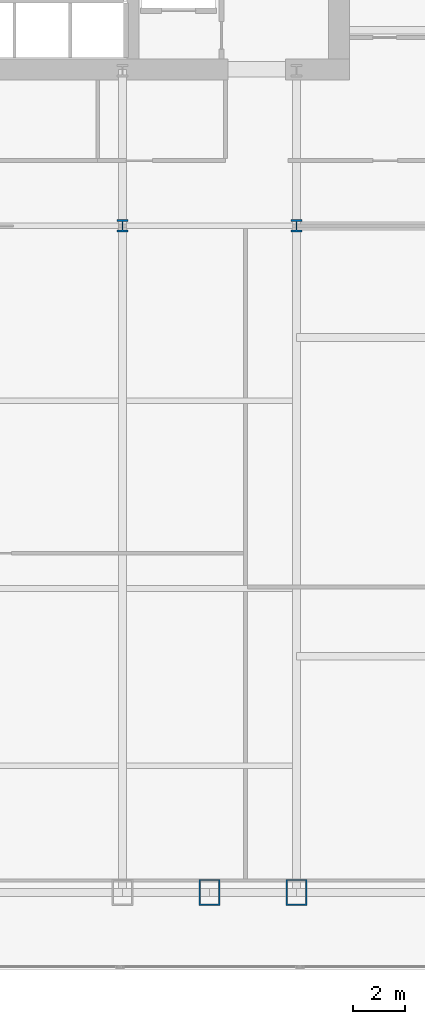
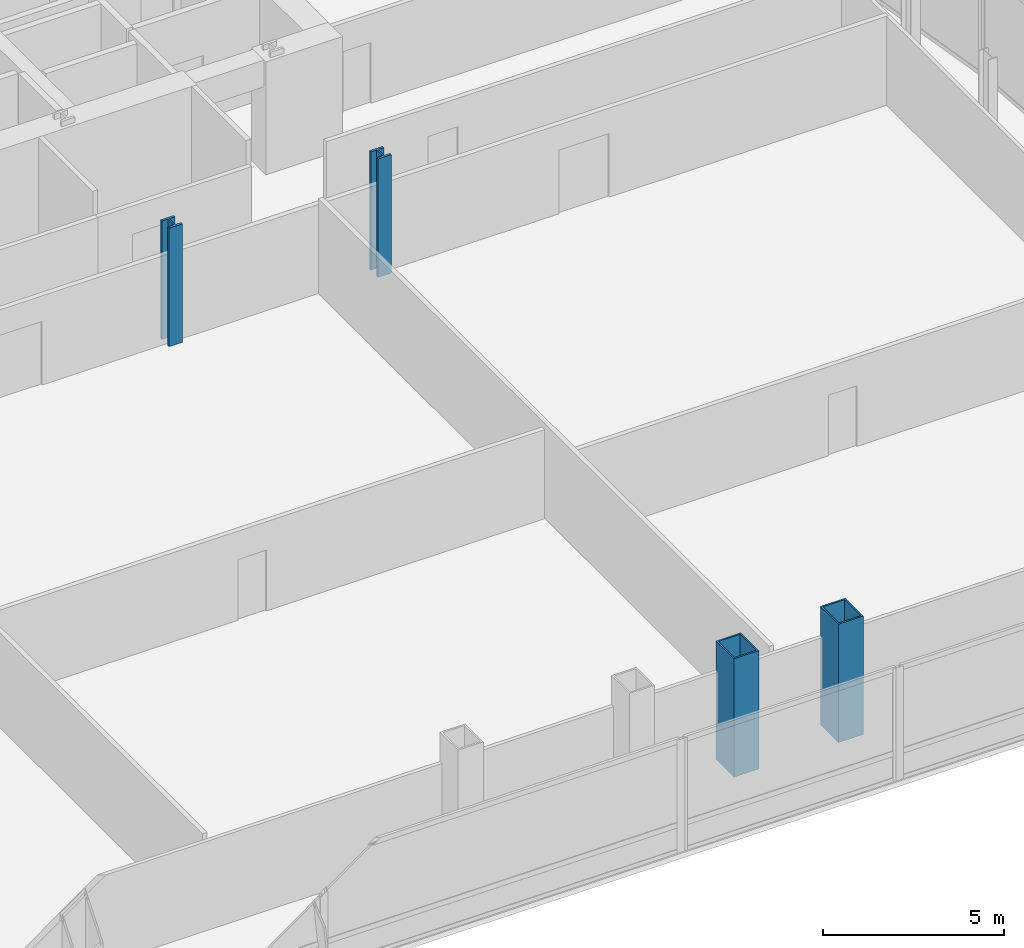
# One storey, part 2 of 35: 4 columns.
"""IFC4 building model written with IfcOpenShell, lengths in metres."""

import ifcopenshell
import ifcopenshell.guid

model = None  # the IFC model being written
_history = None  # IfcOwnerHistory: only IFC2X3 demands one
_inside = {}  # id of a spatial element -> (the spatial element, [elements in it])
_under = {}  # id of a project, library or spatial element -> (it, [spatial elements below it])
_declared = {}  # id of a project -> (the project, [libraries it declares])
_typed = {}  # id of a type object -> (the type object, [elements of that type])
_made_of = {}  # id of a material, layer set ... -> (it, [elements and type objects made of it])


def new_model(schema):
    """Start an empty IFC model of exactly this schema.

    Asked for "IFC4X3", IfcOpenShell would pick the latest addendum, in which some entities
    have other attributes; the version numbers below select the first issue.
    IFC2X3 requires an IfcOwnerHistory on every rooted entity: one is made here for all.
    """
    global model, _history
    if schema == "IFC4X3":
        model = ifcopenshell.file(schema_version=(4, 3, 0, 0))
    else:
        model = ifcopenshell.file(schema=schema)
    _inside.clear()
    _under.clear()
    _declared.clear()
    _typed.clear()
    _made_of.clear()
    _history = None
    if model.schema == "IFC2X3":
        org = make("IfcOrganization", Name="unknown")
        user = make(
            "IfcPersonAndOrganization",
            ThePerson=make("IfcPerson", FamilyName="unknown"),
            TheOrganization=org,
        )
        app = make(
            "IfcApplication",
            ApplicationDeveloper=org,
            Version="unknown",
            ApplicationFullName="unknown",
            ApplicationIdentifier="unknown",
        )
        _history = make(
            "IfcOwnerHistory",
            OwningUser=user,
            OwningApplication=app,
            ChangeAction="ADDED",
            CreationDate=0,
        )
    return model


def make(cls, **values):
    """One entity of the class cls with the attributes given. An attribute that is None is left unset."""
    return model.create_entity(
        cls, **{name: value for name, value in values.items() if value is not None}
    )


def rooted(cls, **values):
    """An entity with a GlobalId (a new one), such as an element, a storey or a relation."""
    return make(cls, GlobalId=ifcopenshell.guid.new(), OwnerHistory=_history, **values)


def si_unit(unit_type, name, prefix=None):
    """IfcSIUnit, for example si_unit("LENGTHUNIT", "METRE", prefix="MILLI")."""
    return make("IfcSIUnit", UnitType=unit_type, Prefix=prefix, Name=name)


def assignment(units):
    """IfcUnitAssignment: the units of a project."""
    return None if units is None else make("IfcUnitAssignment", Units=units)


def point(xyz):
    """IfcCartesianPoint."""
    return None if xyz is None else make("IfcCartesianPoint", Coordinates=xyz)


def direction(xyz):
    """IfcDirection."""
    return None if xyz is None else make("IfcDirection", DirectionRatios=xyz)


def frame(location, z_axis=None, x_axis=None):
    """IfcAxis2Placement3D, a coordinate frame: its origin and axes. An axis left out is left unset."""
    return make(
        "IfcAxis2Placement3D",
        Location=point(location),
        Axis=direction(z_axis),
        RefDirection=direction(x_axis),
    )


def frame_2d(location, x_axis=None):
    """IfcAxis2Placement2D, a coordinate frame in the plane: its origin and x axis."""
    return make(
        "IfcAxis2Placement2D", Location=point(location), RefDirection=direction(x_axis)
    )


def origin():
    """The frame at (0, 0, 0) with its axes left unset."""
    return frame((0.0, 0.0, 0.0))


def origin_2d():
    """The frame at (0, 0) in the plane with its x axis left unset."""
    return frame_2d((0.0, 0.0))


def place(relative_to, where):
    """IfcLocalPlacement: puts the frame where relative to a parent placement (None: the world)."""
    return make(
        "IfcLocalPlacement", PlacementRelTo=relative_to, RelativePlacement=where
    )


def context(
    kind, dimensions, precision=None, world=None, true_north=None, identifier=None
):
    """IfcGeometricRepresentationContext, for example the 3D "Model" context."""
    return make(
        "IfcGeometricRepresentationContext",
        ContextIdentifier=identifier,
        ContextType=kind,
        CoordinateSpaceDimension=dimensions,
        Precision=precision,
        WorldCoordinateSystem=world,
        TrueNorth=true_north,
    )


def subcontext(parent, identifier, kind, view, scale=None):
    """IfcGeometricRepresentationSubContext, for example "Body" below "Model"."""
    return make(
        "IfcGeometricRepresentationSubContext",
        ContextIdentifier=identifier,
        ContextType=kind,
        ParentContext=parent,
        TargetScale=scale,
        TargetView=view,
    )


def project(units=None, contexts=None):
    """IfcProject with its units and contexts."""
    return rooted(
        "IfcProject",
        Name="project",
        RepresentationContexts=contexts,
        UnitsInContext=assignment(units),
    )


def spatial(cls, under=None, at=None, **own):
    """A site, building, storey or space (cls), placed at a placement, below another one or the project."""
    s = rooted(cls, ObjectPlacement=at, **own)
    if under is not None:
        _under.setdefault(under.id(), (under, []))[1].append(s)
    return s


def profile(cls, at=None, kind="AREA", **sizes):
    """A parametric profile (cls). Its sizes go by their IFC names, for example OverallWidth=200.0."""
    return make(cls, ProfileType=kind, Position=at, **sizes)


def hollow_rectangle(**sizes):
    """IfcRectangleHollowProfileDef."""
    return profile("IfcRectangleHollowProfileDef", **sizes)


def i_section(**sizes):
    """IfcIShapeProfileDef."""
    return profile("IfcIShapeProfileDef", **sizes)


def extrude(swept, where, along, depth):
    """IfcExtrudedAreaSolid: the profile swept, set in the frame where, extruded along a direction by depth."""
    return make(
        "IfcExtrudedAreaSolid",
        SweptArea=swept,
        Position=where,
        ExtrudedDirection=direction(along),
        Depth=depth,
    )


def shape(context_of_items, identifier, shape_type, items):
    """IfcShapeRepresentation: the items that make up one representation, for example the "Body"."""
    return make(
        "IfcShapeRepresentation",
        ContextOfItems=context_of_items,
        RepresentationIdentifier=identifier,
        RepresentationType=shape_type,
        Items=items,
    )


def material(Name=None, Category=None):
    """IfcMaterial."""
    return make("IfcMaterial", Name=Name, Category=Category)


def material_profile(
    of_material, cross_section, Name=None, Category=None, Priority=None
):
    """IfcMaterialProfile: a cross section and its material."""
    return make(
        "IfcMaterialProfile",
        Name=Name,
        Material=of_material,
        Profile=cross_section,
        Priority=Priority,
        Category=Category,
    )


def profile_set(profiles, Name=None, composite=None):
    """IfcMaterialProfileSet."""
    return make(
        "IfcMaterialProfileSet",
        Name=Name,
        MaterialProfiles=profiles,
        CompositeProfile=composite,
    )


def made_of(thing, what):
    """Note that an element or type object is made of a material, layer set ...; save() writes the relation."""
    if what is not None:
        _made_of.setdefault(what.id(), (what, []))[1].append(thing)
    return thing


def type_object(cls, material=None, **own):
    """A type object (cls), such as IfcWallType, which elements share."""
    return made_of(rooted(cls, **own), material)


def element(
    cls,
    number,
    at=None,
    inside=None,
    cuts=None,
    type_object=None,
    material=None,
    context=None,
    identifier="Body",
    shape_type=None,
    held_by="IfcProductDefinitionShape",
    body=None,
    shapes=None,
    **own,
):
    """One element of the class cls, such as IfcWall. Its Tag is "e" and its number.

    at: its placement. inside: the storey or other place that contains it. cuts: it is an
    opening in that element (IfcRelVoidsElement). A single representation is given by context,
    identifier, shape_type and body (its items); several are given by shapes. held_by: the class
    of the entity that holds the representations. save() writes the other relations.
    """
    e = rooted(cls, Tag="e%d" % number, ObjectPlacement=at, **own)
    if body is not None:
        shapes = [shape(context, identifier, shape_type, body)]
    if shapes is not None:
        e.Representation = make(held_by, Representations=shapes)
    if inside is not None:
        _inside.setdefault(inside.id(), (inside, []))[1].append(e)
    if cuts is not None:
        rooted(
            "IfcRelVoidsElement", RelatingBuildingElement=cuts, RelatedOpeningElement=e
        )
    if type_object is not None:
        _typed.setdefault(type_object.id(), (type_object, []))[1].append(e)
    return made_of(e, material)


def aggregate(whole, parts):
    """IfcRelAggregates: a whole, such as a stair, and the parts it consists of."""
    return rooted("IfcRelAggregates", RelatingObject=whole, RelatedObjects=parts)


def save(model, path):
    """Write the relations noted so far, then the file.

    IfcRelAggregates (storeys below a building ...), IfcRelContainedInSpatialStructure (elements
    in a storey), IfcRelDefinesByType, IfcRelAssociatesMaterial and IfcRelDeclares: one each for
    every whole, place, type object, material and project.
    """
    for whole, parts in _under.values():
        aggregate(whole, parts)
    for where, things in _inside.values():
        rooted(
            "IfcRelContainedInSpatialStructure",
            RelatedElements=things,
            RelatingStructure=where,
        )
    for kind, things in _typed.values():
        rooted("IfcRelDefinesByType", RelatedObjects=things, RelatingType=kind)
    for what, things in _made_of.values():
        rooted("IfcRelAssociatesMaterial", RelatedObjects=things, RelatingMaterial=what)
    for by, libraries in _declared.values():
        rooted("IfcRelDeclares", RelatingContext=by, RelatedDefinitions=libraries)
    model.write(path)


model = new_model("IFC4")

# Units and contexts
model_context = context("Model", 3, precision=1e-05, world=origin(), true_north=direction((0.0, 1.0)))
body_context = subcontext(model_context, "Body", "Model", "MODEL_VIEW")
ifc_project = project(units=[si_unit("LENGTHUNIT", "METRE"), si_unit("AREAUNIT", "SQUARE_METRE"), si_unit("VOLUMEUNIT", "CUBIC_METRE"), si_unit("PLANEANGLEUNIT", "RADIAN"), si_unit("MASSUNIT", "GRAM", prefix="KILO")], contexts=[model_context])

# Site, building, storey
site_placement = place(None, origin())
site = spatial("IfcSite", under=ifc_project, at=site_placement, CompositionType="ELEMENT")
building_placement = place(site_placement, origin())
building = spatial("IfcBuilding", under=site, at=building_placement, Name="Khoronbel Lancet Exchange", CompositionType="ELEMENT")
storey_placement = place(building_placement, frame((0.0, 0.0, 53.800048828125)))
storey = spatial("IfcBuildingStorey", under=building, at=storey_placement, Name="L12", CompositionType="ELEMENT", Elevation=53.800048828125)

# Columns
ifc_material = material(Name="Steel S460", Category="steel")
ifc_material_profile_1 = material_profile(ifc_material, hollow_rectangle(XDim=0.800048828125, YDim=1.0, WallThickness=0.054931640625, at=origin_2d()), Name="BOX 1000x800x55")
ifc_profile_set_1 = profile_set([ifc_material_profile_1], Name="Steel S460")
column_type_1 = type_object("IfcColumnType", Name="COL-EC1", PredefinedType="COLUMN", material=ifc_profile_set_1)
for number, where, z_axis, x_axis, name in (
    (1, (51.33740234375, 10.14990234375, 0.0), (0.0, 0.0, 1.0), (1.0, 0.0, 0.0), "Structural column SC-EM L12"),
    (2, (54.675048828125, 10.14990234375, 0.0), (0.0, 0.0, 1.0), (1.0, 0.0, 0.0), "Structural column SC-E2 L12"),
):
    element("IfcColumn", number, at=place(storey_placement, frame(where, z_axis=z_axis, x_axis=x_axis)), inside=storey, type_object=column_type_1, Name=name, PredefinedType="COLUMN", context=body_context, shape_type="SweptSolid", body=[
        extrude(hollow_rectangle(XDim=0.800048828125, YDim=1.0, WallThickness=0.054931640625, at=origin_2d()), origin(), (0.0, 0.0, 1.0), 4.0),
    ])
ifc_material_profile_2 = material_profile(ifc_material, i_section(OverallWidth=0.424072265625, OverallDepth=0.47412109375, WebThickness=0.047607421875, FlangeThickness=0.076904296875, at=origin_2d()), Name="HD 400x634")
ifc_profile_set_2 = profile_set([ifc_material_profile_2], Name="Steel S460")
column_type_2 = type_object("IfcColumnType", Name="COL-IC1", PredefinedType="COLUMN", material=ifc_profile_set_2)
for number, where, z_axis, x_axis, name in (
    (3, (48.0, 35.699951171875, 0.0), (0.0, 0.0, 1.0), (1.0, 0.0, 0.0), "Spine gravity column TC3 L12"),
    (4, (54.675048828125, 35.699951171875, 0.0), (0.0, 0.0, 1.0), (1.0, 0.0, 0.0), "Spine gravity column TC4 L12"),
):
    element("IfcColumn", number, at=place(storey_placement, frame(where, z_axis=z_axis, x_axis=x_axis)), inside=storey, type_object=column_type_2, Name=name, PredefinedType="COLUMN", context=body_context, shape_type="SweptSolid", body=[
        extrude(i_section(OverallWidth=0.424072265625, OverallDepth=0.47412109375, WebThickness=0.047607421875, FlangeThickness=0.076904296875, at=origin_2d()), origin(), (0.0, 0.0, 1.0), 4.0),
    ])

save(model, "model.ifc")
